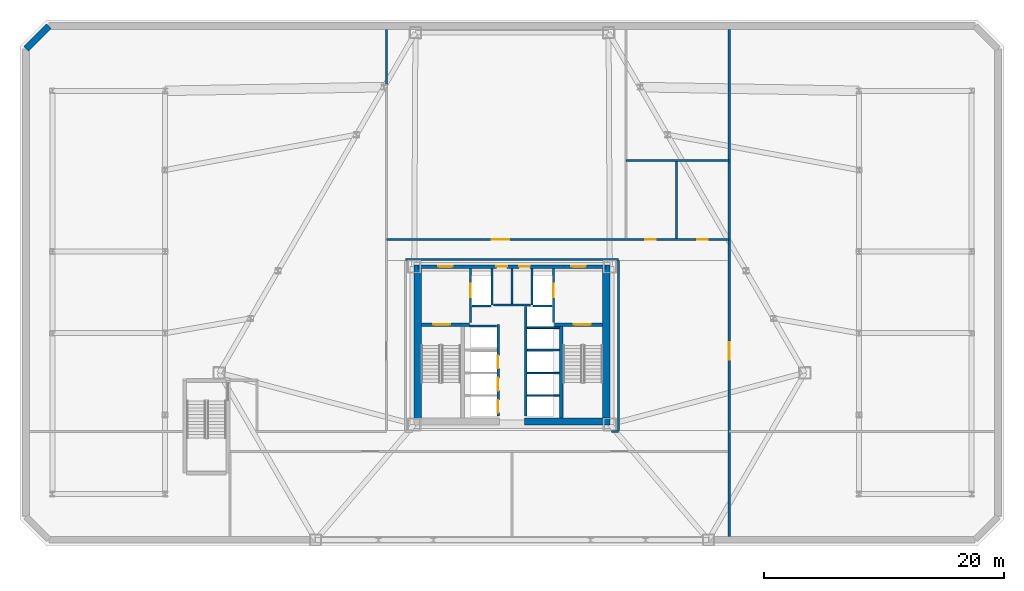
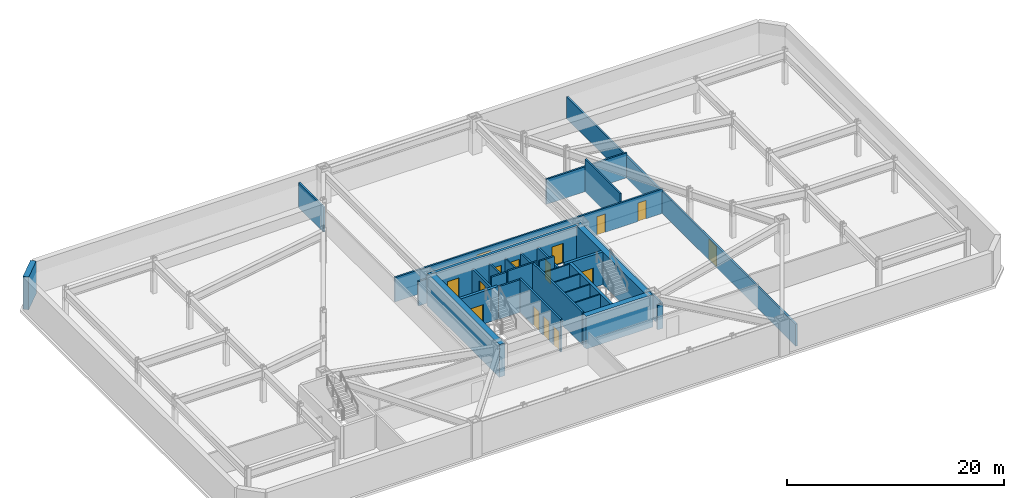
# One storey, part 5 of 10: 31 walls, 15 doors, 15 openings.
"""IFC4 building model written with IfcOpenShell, lengths in metres."""

import ifcopenshell
import ifcopenshell.guid

model = None  # the IFC model being written
_history = None  # IfcOwnerHistory: only IFC2X3 demands one
_inside = {}  # id of a spatial element -> (the spatial element, [elements in it])
_under = {}  # id of a project, library or spatial element -> (it, [spatial elements below it])
_declared = {}  # id of a project -> (the project, [libraries it declares])
_typed = {}  # id of a type object -> (the type object, [elements of that type])
_made_of = {}  # id of a material, layer set ... -> (it, [elements and type objects made of it])


def new_model(schema):
    """Start an empty IFC model of exactly this schema.

    Asked for "IFC4X3", IfcOpenShell would pick the latest addendum, in which some entities
    have other attributes; the version numbers below select the first issue.
    IFC2X3 requires an IfcOwnerHistory on every rooted entity: one is made here for all.
    """
    global model, _history
    if schema == "IFC4X3":
        model = ifcopenshell.file(schema_version=(4, 3, 0, 0))
    else:
        model = ifcopenshell.file(schema=schema)
    _inside.clear()
    _under.clear()
    _declared.clear()
    _typed.clear()
    _made_of.clear()
    _history = None
    if model.schema == "IFC2X3":
        org = make("IfcOrganization", Name="unknown")
        user = make(
            "IfcPersonAndOrganization",
            ThePerson=make("IfcPerson", FamilyName="unknown"),
            TheOrganization=org,
        )
        app = make(
            "IfcApplication",
            ApplicationDeveloper=org,
            Version="unknown",
            ApplicationFullName="unknown",
            ApplicationIdentifier="unknown",
        )
        _history = make(
            "IfcOwnerHistory",
            OwningUser=user,
            OwningApplication=app,
            ChangeAction="ADDED",
            CreationDate=0,
        )
    return model


def make(cls, **values):
    """One entity of the class cls with the attributes given. An attribute that is None is left unset."""
    return model.create_entity(
        cls, **{name: value for name, value in values.items() if value is not None}
    )


def rooted(cls, **values):
    """An entity with a GlobalId (a new one), such as an element, a storey or a relation."""
    return make(cls, GlobalId=ifcopenshell.guid.new(), OwnerHistory=_history, **values)


def si_unit(unit_type, name, prefix=None):
    """IfcSIUnit, for example si_unit("LENGTHUNIT", "METRE", prefix="MILLI")."""
    return make("IfcSIUnit", UnitType=unit_type, Prefix=prefix, Name=name)


def assignment(units):
    """IfcUnitAssignment: the units of a project."""
    return None if units is None else make("IfcUnitAssignment", Units=units)


def point(xyz):
    """IfcCartesianPoint."""
    return None if xyz is None else make("IfcCartesianPoint", Coordinates=xyz)


def direction(xyz):
    """IfcDirection."""
    return None if xyz is None else make("IfcDirection", DirectionRatios=xyz)


def frame(location, z_axis=None, x_axis=None):
    """IfcAxis2Placement3D, a coordinate frame: its origin and axes. An axis left out is left unset."""
    return make(
        "IfcAxis2Placement3D",
        Location=point(location),
        Axis=direction(z_axis),
        RefDirection=direction(x_axis),
    )


def frame_2d(location, x_axis=None):
    """IfcAxis2Placement2D, a coordinate frame in the plane: its origin and x axis."""
    return make(
        "IfcAxis2Placement2D", Location=point(location), RefDirection=direction(x_axis)
    )


def origin():
    """The frame at (0, 0, 0) with its axes left unset."""
    return frame((0.0, 0.0, 0.0))


def place(relative_to, where):
    """IfcLocalPlacement: puts the frame where relative to a parent placement (None: the world)."""
    return make(
        "IfcLocalPlacement", PlacementRelTo=relative_to, RelativePlacement=where
    )


def context(
    kind, dimensions, precision=None, world=None, true_north=None, identifier=None
):
    """IfcGeometricRepresentationContext, for example the 3D "Model" context."""
    return make(
        "IfcGeometricRepresentationContext",
        ContextIdentifier=identifier,
        ContextType=kind,
        CoordinateSpaceDimension=dimensions,
        Precision=precision,
        WorldCoordinateSystem=world,
        TrueNorth=true_north,
    )


def subcontext(parent, identifier, kind, view, scale=None):
    """IfcGeometricRepresentationSubContext, for example "Body" below "Model"."""
    return make(
        "IfcGeometricRepresentationSubContext",
        ContextIdentifier=identifier,
        ContextType=kind,
        ParentContext=parent,
        TargetScale=scale,
        TargetView=view,
    )


def project(units=None, contexts=None):
    """IfcProject with its units and contexts."""
    return rooted(
        "IfcProject",
        Name="project",
        RepresentationContexts=contexts,
        UnitsInContext=assignment(units),
    )


def spatial(cls, under=None, at=None, **own):
    """A site, building, storey or space (cls), placed at a placement, below another one or the project."""
    s = rooted(cls, ObjectPlacement=at, **own)
    if under is not None:
        _under.setdefault(under.id(), (under, []))[1].append(s)
    return s


def profile(cls, at=None, kind="AREA", **sizes):
    """A parametric profile (cls). Its sizes go by their IFC names, for example OverallWidth=200.0."""
    return make(cls, ProfileType=kind, Position=at, **sizes)


def rectangle(**sizes):
    """IfcRectangleProfileDef."""
    return profile("IfcRectangleProfileDef", **sizes)


def extrude(swept, where, along, depth):
    """IfcExtrudedAreaSolid: the profile swept, set in the frame where, extruded along a direction by depth."""
    return make(
        "IfcExtrudedAreaSolid",
        SweptArea=swept,
        Position=where,
        ExtrudedDirection=direction(along),
        Depth=depth,
    )


def shape(context_of_items, identifier, shape_type, items):
    """IfcShapeRepresentation: the items that make up one representation, for example the "Body"."""
    return make(
        "IfcShapeRepresentation",
        ContextOfItems=context_of_items,
        RepresentationIdentifier=identifier,
        RepresentationType=shape_type,
        Items=items,
    )


def material(Name=None, Category=None):
    """IfcMaterial."""
    return make("IfcMaterial", Name=Name, Category=Category)


def layer(
    of_material, thickness, ventilated=None, Name=None, Category=None, Priority=None
):
    """IfcMaterialLayer: one layer of a wall or slab, of a material (None: an air gap)."""
    return make(
        "IfcMaterialLayer",
        Material=of_material,
        LayerThickness=thickness,
        IsVentilated=ventilated,
        Name=Name,
        Category=Category,
        Priority=Priority,
    )


def layer_set(layers, Name=None):
    """IfcMaterialLayerSet."""
    return make("IfcMaterialLayerSet", MaterialLayers=layers, LayerSetName=Name)


def made_of(thing, what):
    """Note that an element or type object is made of a material, layer set ...; save() writes the relation."""
    if what is not None:
        _made_of.setdefault(what.id(), (what, []))[1].append(thing)
    return thing


def type_object(cls, material=None, **own):
    """A type object (cls), such as IfcWallType, which elements share."""
    return made_of(rooted(cls, **own), material)


def element(
    cls,
    number,
    at=None,
    inside=None,
    cuts=None,
    type_object=None,
    material=None,
    context=None,
    identifier="Body",
    shape_type=None,
    held_by="IfcProductDefinitionShape",
    body=None,
    shapes=None,
    **own,
):
    """One element of the class cls, such as IfcWall. Its Tag is "e" and its number.

    at: its placement. inside: the storey or other place that contains it. cuts: it is an
    opening in that element (IfcRelVoidsElement). A single representation is given by context,
    identifier, shape_type and body (its items); several are given by shapes. held_by: the class
    of the entity that holds the representations. save() writes the other relations.
    """
    e = rooted(cls, Tag="e%d" % number, ObjectPlacement=at, **own)
    if body is not None:
        shapes = [shape(context, identifier, shape_type, body)]
    if shapes is not None:
        e.Representation = make(held_by, Representations=shapes)
    if inside is not None:
        _inside.setdefault(inside.id(), (inside, []))[1].append(e)
    if cuts is not None:
        rooted(
            "IfcRelVoidsElement", RelatingBuildingElement=cuts, RelatedOpeningElement=e
        )
    if type_object is not None:
        _typed.setdefault(type_object.id(), (type_object, []))[1].append(e)
    return made_of(e, material)


def fill(opening, filler):
    """IfcRelFillsElement: the door or window that sits in an opening."""
    return rooted(
        "IfcRelFillsElement",
        RelatingOpeningElement=opening,
        RelatedBuildingElement=filler,
    )


def aggregate(whole, parts):
    """IfcRelAggregates: a whole, such as a stair, and the parts it consists of."""
    return rooted("IfcRelAggregates", RelatingObject=whole, RelatedObjects=parts)


def save(model, path):
    """Write the relations noted so far, then the file.

    IfcRelAggregates (storeys below a building ...), IfcRelContainedInSpatialStructure (elements
    in a storey), IfcRelDefinesByType, IfcRelAssociatesMaterial and IfcRelDeclares: one each for
    every whole, place, type object, material and project.
    """
    for whole, parts in _under.values():
        aggregate(whole, parts)
    for where, things in _inside.values():
        rooted(
            "IfcRelContainedInSpatialStructure",
            RelatedElements=things,
            RelatingStructure=where,
        )
    for kind, things in _typed.values():
        rooted("IfcRelDefinesByType", RelatedObjects=things, RelatingType=kind)
    for what, things in _made_of.values():
        rooted("IfcRelAssociatesMaterial", RelatedObjects=things, RelatingMaterial=what)
    for by, libraries in _declared.values():
        rooted("IfcRelDeclares", RelatingContext=by, RelatedDefinitions=libraries)
    model.write(path)


model = new_model("IFC4")

# Units and contexts
model_context = context("Model", 3, precision=1e-05, world=origin(), true_north=direction((0.0, 1.0)))
body_context = subcontext(model_context, "Body", "Model", "MODEL_VIEW")
ifc_project = project(units=[si_unit("LENGTHUNIT", "METRE"), si_unit("AREAUNIT", "SQUARE_METRE"), si_unit("VOLUMEUNIT", "CUBIC_METRE"), si_unit("PLANEANGLEUNIT", "RADIAN"), si_unit("MASSUNIT", "GRAM", prefix="KILO")], contexts=[model_context])

# Site, building, storey
site_placement = place(None, origin())
site = spatial("IfcSite", under=ifc_project, at=site_placement, CompositionType="ELEMENT")
building_placement = place(site_placement, origin())
building = spatial("IfcBuilding", under=site, at=building_placement, Name="Oramaril Tower", CompositionType="ELEMENT")
storey_placement = place(building_placement, frame((0.0, 0.0, -4.0)))
storey = spatial("IfcBuildingStorey", under=building, at=storey_placement, Name="B01", CompositionType="ELEMENT", Elevation=-4.0)

# Walls
ifc_material_1 = material(Name="Acoustic Gypsum Board Partition")
ifc_layer_1 = layer(ifc_material_1, 0.139892578125)
ifc_layer_set_1 = layer_set([ifc_layer_1], Name="WT-PT14")
wall_type_1 = type_object("IfcWallType", Name="WT-PT14", PredefinedType="PARTITIONING", material=ifc_layer_set_1)
for number, where, z_axis, x_axis, name in (
    (1, (38.780029296875, 13.419921875, 0.0), (0.0, 0.0, 1.0), (1.0, 0.0, 0.0), "B01 East Lift Divider"),
    (2, (38.780029296875, 15.27001953125, 0.0), (0.0, 0.0, 1.0), (1.0, 0.0, 0.0), "B01 East Lift Divider"),
    (3, (38.780029296875, 17.199951171875, 0.0), (0.0, 0.0, 1.0), (1.0, 0.0, 0.0), "B01 East Lift Divider"),
    (4, (38.780029296875, 19.050048828125, 0.0), (0.0, 0.0, 1.0), (1.0, 0.0, 0.0), "B01 East Lift Divider"),
):
    element("IfcWall", number, at=place(storey_placement, frame(where, z_axis=z_axis, x_axis=x_axis)), inside=storey, type_object=wall_type_1, Name=name, PredefinedType="PARTITIONING", context=body_context, shape_type="SweptSolid", body=[
        extrude(rectangle(XDim=2.659912109375, YDim=0.139892578125, at=frame_2d((1.330078125, 0.0))), origin(), (0.0, 0.0, 1.0), 3.679931640625),
    ])
wall_1_placement = place(storey_placement, frame((37.5, 21.06005859375, 0.0), z_axis=(0.0, 0.0, 1.0), x_axis=(0.0, 1.0, 0.0)))
element("IfcWall", 5, at=wall_1_placement, inside=storey, type_object=wall_type_1, Name="B01 Core Service Divider", PredefinedType="PARTITIONING", context=body_context, shape_type="SweptSolid", body=[
    extrude(rectangle(XDim=2.919921875, YDim=0.139892578125, at=frame_2d((1.4599609375, 0.0))), origin(), (0.0, 0.0, 1.0), 2.719970703125),
])
ifc_material_2 = material(Name="Autoclaved Cellular Concrete Block", Category="concrete")
ifc_layer_2 = layer(ifc_material_2, 0.179931640625)
ifc_layer_set_2 = layer_set([ifc_layer_2], Name="WT-PT18")
wall_type_2 = type_object("IfcWallType", Name="WT-PT18", PredefinedType="PARTITIONING", material=ifc_layer_set_2)
wall_2_placement = place(storey_placement, frame((35.840087890625, 20.9599609375, 0.0), z_axis=(0.0, 0.0, 1.0), x_axis=(0.0, 1.0, 0.0)))
element("IfcWall", 6, at=wall_2_placement, inside=storey, type_object=wall_type_2, Name="B01 FL-1 East Shaft Wall", PredefinedType="PARTITIONING", context=body_context, shape_type="SweptSolid", body=[
    extrude(rectangle(XDim=3.02001953125, YDim=0.179931640625, at=frame_2d((1.510009765625, 0.0))), origin(), (0.0, 0.0, 1.0), 2.719970703125),
])
wall_3_placement = place(storey_placement, frame((34.159912109375, 20.860107421875, 0.0), z_axis=(0.0, 0.0, 1.0), x_axis=(1.0, 0.0, 0.0)))
element("IfcWall", 7, at=wall_3_placement, inside=storey, type_object=wall_type_2, Name="B01 FL-1 South Shaft Wall", PredefinedType="PARTITIONING", context=body_context, shape_type="SweptSolid", body=[
    extrude(rectangle(XDim=1.580078125, YDim=0.179931640625, at=frame_2d((0.7900390625, 0.0))), origin(), (0.0, 0.0, 1.0), 3.679931640625),
])
wall_4_placement = place(storey_placement, frame((39.159912109375, 20.9599609375, 0.0), z_axis=(0.0, 0.0, 1.0), x_axis=(0.0, 1.0, 0.0)))
element("IfcWall", 8, at=wall_4_placement, inside=storey, type_object=wall_type_2, Name="B01 FL-2 West Shaft Wall", PredefinedType="PARTITIONING", context=body_context, shape_type="SweptSolid", body=[
    extrude(rectangle(XDim=3.02001953125, YDim=0.179931640625, at=frame_2d((1.510009765625, 0.0))), origin(), (0.0, 0.0, 1.0), 2.719970703125),
])
wall_5_placement = place(storey_placement, frame((39.260009765625, 20.860107421875, 0.0), z_axis=(0.0, 0.0, 1.0), x_axis=(1.0, 0.0, 0.0)))
element("IfcWall", 9, at=wall_5_placement, inside=storey, type_object=wall_type_2, Name="B01 FL-2 South Shaft Wall", PredefinedType="PARTITIONING", context=body_context, shape_type="SweptSolid", body=[
    extrude(rectangle(XDim=1.580078125, YDim=0.179931640625, at=frame_2d((0.7900390625, 0.0))), origin(), (0.0, 0.0, 1.0), 3.679931640625),
])
wall_6_placement = place(storey_placement, frame((33.949951171875, 19.199951171875, 0.0), z_axis=(0.0, 0.0, 1.0), x_axis=(1.0, 0.0, 0.0)))
element("IfcWall", 10, at=wall_6_placement, inside=storey, type_object=wall_type_2, Name="B01 High-Rise Lift H1 North Shaft Wall", PredefinedType="PARTITIONING", context=body_context, shape_type="SweptSolid", body=[
    extrude(rectangle(XDim=2.27001953125, YDim=0.179931640625, at=frame_2d((1.135009765625, 0.0))), origin(), (0.0, 0.0, 1.0), 3.679931640625),
])
wall_7_placement = place(storey_placement, frame((35.949951171875, 20.949951171875, 0.0), z_axis=(0.0, 0.0, 1.0), x_axis=(1.0, 0.0, 0.0)))
element("IfcWall", 11, at=wall_7_placement, inside=storey, type_object=wall_type_2, Name="B01 Lift Lobby North Partition", PredefinedType="PARTITIONING", context=body_context, shape_type="SweptSolid", body=[
    extrude(rectangle(XDim=3.10009765625, YDim=0.179931640625, at=frame_2d((1.550048828125, 0.0))), origin(), (0.0, 0.0, 1.0), 3.679931640625),
])
wall_8_placement = place(storey_placement, frame((45.800048828125, 10.39990234375, 0.0), z_axis=(0.0, 0.0, 1.0), x_axis=(1.0, 0.0, 0.0)))
element("IfcWall", 12, at=wall_8_placement, inside=storey, type_object=wall_type_2, Name="B01 Interior Partition PT-18", PredefinedType="PARTITIONING", context=body_context, shape_type="SweptSolid", body=[
    extrude(rectangle(XDim=0.579833984375, YDim=0.179931640625, at=frame_2d((0.2900390625, 0.0))), origin(), (0.0, 0.0, 1.0), 2.742919921875),
])
wall_9_placement = place(storey_placement, frame((28.6201171875, 24.75, 0.0), z_axis=(0.0, 0.0, 1.0), x_axis=(1.0, 0.0, 0.0)))
element("IfcWall", 13, at=wall_9_placement, inside=storey, type_object=wall_type_2, Name="B01 Interior Partition PT-18", PredefinedType="PARTITIONING", context=body_context, shape_type="SweptSolid", body=[
    extrude(rectangle(XDim=17.759765625, YDim=0.179931640625, at=frame_2d((8.8798828125, 0.0))), origin(), (0.0, 0.0, 1.0), 2.742919921875),
])

# Wall, openings, doors
wall_10_placement = place(storey_placement, frame((27.050048828125, 26.39990234375, 0.0), z_axis=(0.0, 0.0, 1.0), x_axis=(1.0, 0.0, 0.0)))
wall_10 = element("IfcWall", 14, at=wall_10_placement, inside=storey, type_object=wall_type_2, Name="B01 Interior Partition PT-18", PredefinedType="PARTITIONING", context=body_context, shape_type="SweptSolid", body=[
    extrude(rectangle(XDim=28.550048828125, YDim=0.179931640625, at=frame_2d((14.27490234375, 0.0))), origin(), (0.0, 0.0, 1.0), 2.742919921875),
])
opening_1_placement = place(wall_10_placement, frame((8.751708984375, 0.0, 0.0)))
opening_1 = element("IfcOpeningElement", 15, at=opening_1_placement, cuts=wall_10, Name="Opening D-B01-03", PredefinedType="OPENING", context=body_context, shape_type="SweptSolid", body=[
    extrude(rectangle(XDim=1.449951171875, YDim=2.25, at=frame_2d((0.72509765625, 1.125))), frame((0.0, 0.08984375, 0.0), z_axis=(0.0, -1.0, 0.0), x_axis=(1.0, 0.0, 0.0)), (0.0, 0.0, 1.0), 0.179931640625),
])
opening_2_placement = place(wall_10_placement, frame((21.5380859375, 0.0, 0.0)))
opening_2 = element("IfcOpeningElement", 16, at=opening_2_placement, cuts=wall_10, Name="Opening D-B01-04", PredefinedType="OPENING", context=body_context, shape_type="SweptSolid", body=[
    extrude(rectangle(XDim=0.8798828125, YDim=2.080078125, at=frame_2d((0.43994140625, 1.0400390625))), frame((0.0, 0.08984375, 0.0), z_axis=(0.0, -1.0, 0.0), x_axis=(1.0, 0.0, 0.0)), (0.0, 0.0, 1.0), 0.179931640625),
])
opening_3_placement = place(wall_10_placement, frame((25.884033203125, 0.0, 0.0)))
opening_3 = element("IfcOpeningElement", 17, at=opening_3_placement, cuts=wall_10, Name="Opening D-B01-05", PredefinedType="OPENING", context=body_context, shape_type="SweptSolid", body=[
    extrude(rectangle(XDim=0.8798828125, YDim=2.080078125, at=frame_2d((0.43994140625, 1.0400390625))), frame((0.0, 0.08984375, 0.0), z_axis=(0.0, -1.0, 0.0), x_axis=(1.0, 0.0, 0.0)), (0.0, 0.0, 1.0), 0.179931640625),
])
ifc_material_3 = material(Name="FSC Brazilian Freijo Hardwood", Category="wood")
door_type_1 = type_object("IfcDoorType", Name="DT-BATH", OperationType="NOTDEFINED", PredefinedType="DOOR", material=ifc_material_3)
door_1_placement = place(opening_2_placement, origin())
door_1 = element("IfcDoor", 18, at=door_1_placement, inside=storey, type_object=door_type_1, Name="B01 B01 Staff Accessible WC Door D-B01-04", OperationType="SINGLE_SWING_RIGHT", OverallHeight=2.080078125, OverallWidth=0.8798828125, PredefinedType="DOOR", context=body_context, shape_type="SweptSolid", body=[
    extrude(rectangle(XDim=0.8798828125, YDim=2.080078125, at=frame_2d((0.43994140625, 1.0400390625))), frame((0.0, 0.02490234375, 0.0), z_axis=(0.0, -1.0, 0.0), x_axis=(1.0, 0.0, 0.0)), (0.0, 0.0, 1.0), 0.050048828125),
])
fill(opening_2, door_1)
door_2_placement = place(opening_3_placement, origin())
door_2 = element("IfcDoor", 19, at=door_2_placement, inside=storey, type_object=door_type_1, Name="B01 B01 Staff Washroom WC Door D-B01-05", OperationType="SINGLE_SWING_LEFT", OverallHeight=2.080078125, OverallWidth=0.8798828125, PredefinedType="DOOR", context=body_context, shape_type="SweptSolid", body=[
    extrude(rectangle(XDim=0.8798828125, YDim=2.080078125, at=frame_2d((0.43994140625, 1.0400390625))), frame((0.0, 0.02490234375, 0.0), z_axis=(0.0, -1.0, 0.0), x_axis=(1.0, 0.0, 0.0)), (0.0, 0.0, 1.0), 0.050048828125),
])
fill(opening_3, door_2)
ifc_material_4 = material(Name="Painted Galvanised Steel", Category="steel")
door_type_2 = type_object("IfcDoorType", Name="DT-PLT", OperationType="NOTDEFINED", PredefinedType="DOOR", material=ifc_material_4)
door_3_placement = place(opening_1_placement, origin())
door_3 = element("IfcDoor", 20, at=door_3_placement, inside=storey, type_object=door_type_2, Name="B01 B01 Waste and Recycling Refuse Room Door D-B01-03", OperationType="SINGLE_SWING_LEFT", OverallHeight=2.25, OverallWidth=1.449951171875, PredefinedType="DOOR", context=body_context, shape_type="SweptSolid", body=[
    extrude(rectangle(XDim=1.449951171875, YDim=2.25, at=frame_2d((0.72509765625, 1.125))), frame((0.0, 0.02490234375, 0.0), z_axis=(0.0, -1.0, 0.0), x_axis=(1.0, 0.0, 0.0)), (0.0, 0.0, 1.0), 0.050048828125),
])
fill(opening_1, door_3)

# Walls
wall_11_placement = place(storey_placement, frame((47.0, 33.0, 0.0), z_axis=(0.0, 0.0, 1.0), x_axis=(1.0, 0.0, 0.0)))
element("IfcWall", 21, at=wall_11_placement, inside=storey, type_object=wall_type_2, Name="B01 Interior Partition PT-18", PredefinedType="PARTITIONING", context=body_context, shape_type="SweptSolid", body=[
    extrude(rectangle(XDim=8.60009765625, YDim=0.179931640625, at=frame_2d((4.300048828125, 0.0))), origin(), (0.0, 0.0, 1.0), 2.81396484375),
])
wall_12_placement = place(storey_placement, frame((27.050048828125, 39.33154296875, 0.0), z_axis=(0.0, 0.0, 1.0), x_axis=(0.0, 1.0, 0.0)))
element("IfcWall", 22, at=wall_12_placement, inside=storey, type_object=wall_type_2, Name="B01 Interior Partition PT-18", PredefinedType="PARTITIONING", context=body_context, shape_type="SweptSolid", body=[
    extrude(rectangle(XDim=4.58935546875, YDim=0.179931640625, at=frame_2d((2.294677734375, 0.0))), origin(), (0.0, 0.0, 1.0), 2.81396484375),
])
wall_13_placement = place(storey_placement, frame((46.3798828125, 10.493896484375, 0.0), z_axis=(0.0, 0.0, 1.0), x_axis=(0.0, 1.0, 0.0)))
element("IfcWall", 23, at=wall_13_placement, inside=storey, type_object=wall_type_2, Name="B01 Interior Partition PT-18", PredefinedType="PARTITIONING", context=body_context, shape_type="SweptSolid", body=[
    extrude(rectangle(XDim=14.162109375, YDim=0.179931640625, at=frame_2d((7.0810546875, 0.0))), origin(), (0.0, 0.0, 1.0), 2.742919921875),
])
wall_14_placement = place(storey_placement, frame((51.199951171875, 26.493896484375, 0.0), z_axis=(0.0, 0.0, 1.0), x_axis=(0.0, 1.0, 0.0)))
element("IfcWall", 24, at=wall_14_placement, inside=storey, type_object=wall_type_2, Name="B01 Interior Partition PT-18", PredefinedType="PARTITIONING", context=body_context, shape_type="SweptSolid", body=[
    extrude(rectangle(XDim=6.412109375, YDim=0.179931640625, at=frame_2d((3.2060546875, 0.0))), origin(), (0.0, 0.0, 1.0), 3.679931640625),
])

# Wall, opening, door
wall_15_placement = place(storey_placement, frame((55.60009765625, 1.678955078125, 0.0), z_axis=(0.0, 0.0, 1.0), x_axis=(0.0, 1.0, 0.0)))
wall_15 = element("IfcWall", 25, at=wall_15_placement, inside=storey, type_object=wall_type_2, Name="B01 Interior Partition PT-18", PredefinedType="PARTITIONING", context=body_context, shape_type="SweptSolid", body=[
    extrude(rectangle(XDim=42.241943359375, YDim=0.179931640625, at=frame_2d((21.12109375, 0.0))), origin(), (0.0, 0.0, 1.0), 2.469970703125),
])
opening_4_placement = place(wall_15_placement, frame((14.725341796875, 0.0, 0.0)))
opening_4 = element("IfcOpeningElement", 26, at=opening_4_placement, cuts=wall_15, Name="Opening D-B01-07", PredefinedType="OPENING", context=body_context, shape_type="SweptSolid", body=[
    extrude(rectangle(XDim=1.449951171875, YDim=2.25, at=frame_2d((0.72509765625, 1.125))), frame((0.0, 0.08984375, 0.0), z_axis=(0.0, -1.0, 0.0), x_axis=(1.0, 0.0, 0.0)), (0.0, 0.0, 1.0), 0.179931640625),
])
door_4_placement = place(opening_4_placement, origin())
door_4 = element("IfcDoor", 27, at=door_4_placement, inside=storey, type_object=door_type_2, Name="B01 B01 Building Maintenance Workshop Door D-B01-07", OperationType="SINGLE_SWING_LEFT", OverallHeight=2.25, OverallWidth=1.449951171875, PredefinedType="DOOR", context=body_context, shape_type="SweptSolid", body=[
    extrude(rectangle(XDim=1.449951171875, YDim=2.25, at=frame_2d((0.72509765625, 1.125))), frame((0.0, 0.02490234375, 0.0), z_axis=(0.0, -1.0, 0.0), x_axis=(1.0, 0.0, 0.0)), (0.0, 0.0, 1.0), 0.050048828125),
])
fill(opening_4, door_4)

# Wall
ifc_material_5 = material(Name="Concrete C50/60", Category="concrete")
ifc_layer_3 = layer(ifc_material_5, 0.550048828125)
ifc_layer_set_3 = layer_set([ifc_layer_3], Name="WT-RET55")
wall_type_3 = type_object("IfcWallType", Name="WT-RET55", PredefinedType="USERDEFINED", material=ifc_layer_set_3)
wall_16_placement = place(storey_placement, frame((-1.093017578125, 44.199951171875, 0.0), z_axis=(0.0, 0.0, 1.0), x_axis=(-0.707106781187, -0.707106781187, 0.0)))
element("IfcWall", 28, at=wall_16_placement, inside=storey, type_object=wall_type_3, Name="B01 Perimeter Retaining Wall RW-06", ObjectType="RETAININGWALL", PredefinedType="USERDEFINED", context=body_context, shape_type="SweptSolid", body=[
    extrude(rectangle(XDim=2.69677734375, YDim=0.550048828125, at=frame_2d((1.348388671875, 0.0))), origin(), (0.0, 0.0, 1.0), 3.679931640625),
])

# Wall, openings, doors
ifc_material_6 = material(Name="Concrete C50/60", Category="concrete")
ifc_layer_4 = layer(ifc_material_6, 0.300048828125)
ifc_layer_set_4 = layer_set([ifc_layer_4], Name="WT-SH30")
wall_type_4 = type_object("IfcWallType", Name="WT-SH30", PredefinedType="SHEAR", material=ifc_layer_set_4)
wall_17_placement = place(storey_placement, frame((29.64990234375, 24.14990234375, 0.0), z_axis=(0.0, 0.0, 1.0), x_axis=(1.0, 0.0, 0.0)))
wall_17 = element("IfcWall", 29, at=wall_17_placement, inside=storey, type_object=wall_type_4, Name="B01 Core Shear Wall CW-N", PredefinedType="SHEAR", context=body_context, shape_type="SweptSolid", body=[
    extrude(rectangle(XDim=15.7001953125, YDim=0.300048828125, at=frame_2d((7.85009765625, 0.0))), origin(), (0.0, 0.0, 1.0), 3.679931640625),
])
opening_5_placement = place(wall_17_placement, frame((1.699951171875, 0.0, 0.0)))
opening_5 = element("IfcOpeningElement", 30, at=opening_5_placement, cuts=wall_17, Name="Opening D-B01-FFL1", PredefinedType="OPENING", context=body_context, shape_type="SweptSolid", body=[
    extrude(rectangle(XDim=1.199951171875, YDim=2.199951171875, at=frame_2d((0.60009765625, 1.10009765625))), frame((0.0, 0.14990234375, 0.0), z_axis=(0.0, -1.0, 0.0), x_axis=(1.0, 0.0, 0.0)), (0.0, 0.0, 1.0), 0.300048828125),
])
opening_6_placement = place(wall_17_placement, frame((12.800048828125, 0.0, 0.0)))
opening_6 = element("IfcOpeningElement", 31, at=opening_6_placement, cuts=wall_17, Name="Opening D-B01-FFL2", PredefinedType="OPENING", context=body_context, shape_type="SweptSolid", body=[
    extrude(rectangle(XDim=1.199951171875, YDim=2.199951171875, at=frame_2d((0.60009765625, 1.10009765625))), frame((0.0, 0.14990234375, 0.0), z_axis=(0.0, -1.0, 0.0), x_axis=(1.0, 0.0, 0.0)), (0.0, 0.0, 1.0), 0.300048828125),
])
opening_7_placement = place(wall_17_placement, frame((6.550048828125, 0.0, 0.0)))
opening_7 = element("IfcOpeningElement", 32, at=opening_7_placement, cuts=wall_17, Name="Opening D-B01-SV1", PredefinedType="OPENING", context=body_context, shape_type="SweptSolid", body=[
    extrude(rectangle(XDim=0.89990234375, YDim=2.050048828125, at=frame_2d((0.449951171875, 1.02490234375))), frame((0.0, 0.14990234375, 0.0), z_axis=(0.0, -1.0, 0.0), x_axis=(1.0, 0.0, 0.0)), (0.0, 0.0, 1.0), 0.300048828125),
])
opening_8_placement = place(wall_17_placement, frame((8.449951171875, 0.0, 0.0)))
opening_8 = element("IfcOpeningElement", 33, at=opening_8_placement, cuts=wall_17, Name="Opening D-B01-SV2", PredefinedType="OPENING", context=body_context, shape_type="SweptSolid", body=[
    extrude(rectangle(XDim=0.89990234375, YDim=2.050048828125, at=frame_2d((0.449951171875, 1.02490234375))), frame((0.0, 0.14990234375, 0.0), z_axis=(0.0, -1.0, 0.0), x_axis=(1.0, 0.0, 0.0)), (0.0, 0.0, 1.0), 0.300048828125),
])
ifc_material_7 = material(Name="Painted Galvanised Steel", Category="steel")
door_type_3 = type_object("IfcDoorType", Name="DT-FFL", OperationType="NOTDEFINED", PredefinedType="DOOR", material=ifc_material_7)
door_5_placement = place(opening_5_placement, origin())
door_5 = element("IfcDoor", 34, at=door_5_placement, inside=storey, type_object=door_type_3, Name="B01 Firefighting Lobby 1 Fire Door", OperationType="SINGLE_SWING_LEFT", OverallHeight=2.199951171875, OverallWidth=1.199951171875, PredefinedType="DOOR", context=body_context, shape_type="SweptSolid", body=[
    extrude(rectangle(XDim=1.199951171875, YDim=2.199951171875, at=frame_2d((0.60009765625, 1.10009765625))), frame((0.0, 0.02490234375, 0.0), z_axis=(0.0, -1.0, 0.0), x_axis=(1.0, 0.0, 0.0)), (0.0, 0.0, 1.0), 0.050048828125),
])
fill(opening_5, door_5)
door_6_placement = place(opening_6_placement, origin())
door_6 = element("IfcDoor", 35, at=door_6_placement, inside=storey, type_object=door_type_3, Name="B01 Firefighting Lobby 2 Fire Door", OperationType="SINGLE_SWING_RIGHT", OverallHeight=2.199951171875, OverallWidth=1.199951171875, PredefinedType="DOOR", context=body_context, shape_type="SweptSolid", body=[
    extrude(rectangle(XDim=1.199951171875, YDim=2.199951171875, at=frame_2d((0.60009765625, 1.10009765625))), frame((0.0, 0.02490234375, 0.0), z_axis=(0.0, -1.0, 0.0), x_axis=(1.0, 0.0, 0.0)), (0.0, 0.0, 1.0), 0.050048828125),
])
fill(opening_6, door_6)
ifc_material_8 = material(Name="Painted Galvanised Steel", Category="steel")
door_type_4 = type_object("IfcDoorType", Name="DT-SVC", OperationType="NOTDEFINED", PredefinedType="DOOR", material=ifc_material_8)
door_7_placement = place(opening_7_placement, origin())
door_7 = element("IfcDoor", 36, at=door_7_placement, inside=storey, type_object=door_type_4, Name="B01 Core Service Store 1 Door", OperationType="SINGLE_SWING_LEFT", OverallHeight=2.050048828125, OverallWidth=0.89990234375, PredefinedType="DOOR", context=body_context, shape_type="SweptSolid", body=[
    extrude(rectangle(XDim=0.89990234375, YDim=2.050048828125, at=frame_2d((0.449951171875, 1.02490234375))), frame((0.0, 0.02490234375, 0.0), z_axis=(0.0, -1.0, 0.0), x_axis=(1.0, 0.0, 0.0)), (0.0, 0.0, 1.0), 0.050048828125),
])
fill(opening_7, door_7)
door_8_placement = place(opening_8_placement, origin())
door_8 = element("IfcDoor", 37, at=door_8_placement, inside=storey, type_object=door_type_4, Name="B01 Core Service Store 2 Door", OperationType="SINGLE_SWING_RIGHT", OverallHeight=2.050048828125, OverallWidth=0.89990234375, PredefinedType="DOOR", context=body_context, shape_type="SweptSolid", body=[
    extrude(rectangle(XDim=0.89990234375, YDim=2.050048828125, at=frame_2d((0.449951171875, 1.02490234375))), frame((0.0, 0.02490234375, 0.0), z_axis=(0.0, -1.0, 0.0), x_axis=(1.0, 0.0, 0.0)), (0.0, 0.0, 1.0), 0.050048828125),
])
fill(opening_8, door_8)

# Wall, opening, door
wall_18_placement = place(storey_placement, frame((29.93994140625, 19.31005859375, 0.0), z_axis=(0.0, 0.0, 1.0), x_axis=(1.0, 0.0, 0.0)))
wall_18 = element("IfcWall", 38, at=wall_18_placement, inside=storey, type_object=wall_type_4, Name="B01 Core Shear Wall CW-ST1N", PredefinedType="SHEAR", context=body_context, shape_type="SweptSolid", body=[
    extrude(rectangle(XDim=4.010009765625, YDim=0.300048828125, at=frame_2d((2.0048828125, 0.0))), origin(), (0.0, 0.0, 1.0), 3.679931640625),
])
opening_9_placement = place(wall_18_placement, frame((1.010009765625, 0.0, 0.0)))
opening_9 = element("IfcOpeningElement", 39, at=opening_9_placement, cuts=wall_18, Name="Opening D-B01-ST1", PredefinedType="OPENING", context=body_context, shape_type="SweptSolid", body=[
    extrude(rectangle(XDim=1.39990234375, YDim=2.199951171875, at=frame_2d((0.699951171875, 1.10009765625))), frame((0.0, 0.14990234375, 0.0), z_axis=(0.0, -1.0, 0.0), x_axis=(1.0, 0.0, 0.0)), (0.0, 0.0, 1.0), 0.300048828125),
])
ifc_material_9 = material(Name="Painted Galvanised Steel", Category="steel")
door_type_5 = type_object("IfcDoorType", Name="DT-ST", OperationType="NOTDEFINED", PredefinedType="DOOR", material=ifc_material_9)
door_9_placement = place(opening_9_placement, origin())
door_9 = element("IfcDoor", 40, at=door_9_placement, inside=storey, type_object=door_type_5, Name="B01 Protected Stair ST-1 Fire Door", OperationType="SINGLE_SWING_LEFT", OverallHeight=2.199951171875, OverallWidth=1.39990234375, PredefinedType="DOOR", context=body_context, shape_type="SweptSolid", body=[
    extrude(rectangle(XDim=1.39990234375, YDim=2.199951171875, at=frame_2d((0.699951171875, 1.10009765625))), frame((0.0, 0.02490234375, 0.0), z_axis=(0.0, -1.0, 0.0), x_axis=(1.0, 0.0, 0.0)), (0.0, 0.0, 1.0), 0.050048828125),
])
fill(opening_9, door_9)

wall_19_placement = place(storey_placement, frame((41.050048828125, 19.31005859375, 0.0), z_axis=(0.0, 0.0, 1.0), x_axis=(1.0, 0.0, 0.0)))
wall_19 = element("IfcWall", 41, at=wall_19_placement, inside=storey, type_object=wall_type_4, Name="B01 Core Shear Wall CW-ST2N", PredefinedType="SHEAR", context=body_context, shape_type="SweptSolid", body=[
    extrude(rectangle(XDim=4.010009765625, YDim=0.300048828125, at=frame_2d((2.0048828125, 0.0))), origin(), (0.0, 0.0, 1.0), 3.679931640625),
])
opening_10_placement = place(wall_19_placement, frame((1.60009765625, 0.0, 0.0)))
opening_10 = element("IfcOpeningElement", 42, at=opening_10_placement, cuts=wall_19, Name="Opening D-B01-ST2", PredefinedType="OPENING", context=body_context, shape_type="SweptSolid", body=[
    extrude(rectangle(XDim=1.39990234375, YDim=2.199951171875, at=frame_2d((0.699951171875, 1.10009765625))), frame((0.0, 0.14990234375, 0.0), z_axis=(0.0, -1.0, 0.0), x_axis=(1.0, 0.0, 0.0)), (0.0, 0.0, 1.0), 0.300048828125),
])
door_10_placement = place(opening_10_placement, origin())
door_10 = element("IfcDoor", 43, at=door_10_placement, inside=storey, type_object=door_type_5, Name="B01 Protected Stair ST-2 Fire Door", OperationType="SINGLE_SWING_RIGHT", OverallHeight=2.199951171875, OverallWidth=1.39990234375, PredefinedType="DOOR", context=body_context, shape_type="SweptSolid", body=[
    extrude(rectangle(XDim=1.39990234375, YDim=2.199951171875, at=frame_2d((0.699951171875, 1.10009765625))), frame((0.0, 0.02490234375, 0.0), z_axis=(0.0, -1.0, 0.0), x_axis=(1.0, 0.0, 0.0)), (0.0, 0.0, 1.0), 0.050048828125),
])
fill(opening_10, door_10)

# Walls
wall_20_placement = place(storey_placement, frame((41.6201171875, 11.5400390625, 0.0), z_axis=(0.0, 0.0, 1.0), x_axis=(0.0, 1.0, 0.0)))
element("IfcWall", 44, at=wall_20_placement, inside=storey, type_object=wall_type_4, Name="B01 Core Shear Wall CW-ST2W", PredefinedType="SHEAR", context=body_context, shape_type="SweptSolid", body=[
    extrude(rectangle(XDim=7.619873046875, YDim=0.300048828125, at=frame_2d((3.81005859375, 0.0))), origin(), (0.0, 0.0, 1.0), 3.679931640625),
])
ifc_material_10 = material(Name="Concrete C50/60", Category="concrete")
ifc_layer_5 = layer(ifc_material_10, 0.60009765625)
ifc_layer_set_5 = layer_set([ifc_layer_5], Name="WT-SH60")
wall_type_5 = type_object("IfcWallType", Name="WT-SH60", PredefinedType="SHEAR", material=ifc_layer_set_5)
for number, where, z_axis, x_axis, name in (
    (45, (29.639892578125, 11.0, 0.0), (0.0, 0.0, 1.0), (0.0, 1.0, 0.0), "B01 Core Shear Wall CW-W"),
    (46, (45.360107421875, 11.0, 0.0), (0.0, 0.0, 1.0), (0.0, 1.0, 0.0), "B01 Core Shear Wall CW-E"),
):
    element("IfcWall", number, at=place(storey_placement, frame(where, z_axis=z_axis, x_axis=x_axis)), inside=storey, type_object=wall_type_5, Name=name, PredefinedType="SHEAR", context=body_context, shape_type="SweptSolid", body=[
        extrude(rectangle(XDim=13.300048828125, YDim=0.60009765625, at=frame_2d((6.64990234375, 0.0))), origin(), (0.0, 0.0, 1.0), 3.679931640625),
    ])
wall_21_placement = place(storey_placement, frame((38.550048828125, 11.239990234375, 0.0), z_axis=(0.0, 0.0, 1.0), x_axis=(1.0, 0.0, 0.0)))
element("IfcWall", 47, at=wall_21_placement, inside=storey, type_object=wall_type_5, Name="B01 Core Shear Wall CW-SE", PredefinedType="SHEAR", context=body_context, shape_type="SweptSolid", body=[
    extrude(rectangle(XDim=7.099853515625, YDim=0.60009765625, at=frame_2d((3.5498046875, 0.0))), origin(), (0.0, 0.0, 1.0), 3.679931640625),
])

# Wall, opening, door
ifc_material_11 = material(Name="Autoclaved Cellular Concrete Block", Category="concrete")
ifc_layer_6 = layer(ifc_material_11, 0.199951171875)
ifc_layer_set_6 = layer_set([ifc_layer_6], Name="WT-SHF20")
wall_type_6 = type_object("IfcWallType", Name="WT-SHF20", PredefinedType="PARTITIONING", material=ifc_layer_set_6)
wall_22_placement = place(storey_placement, frame((34.0400390625, 19.47998046875, 0.0), z_axis=(0.0, 0.0, 1.0), x_axis=(0.0, 1.0, 0.0)))
wall_22 = element("IfcWall", 48, at=wall_22_placement, inside=storey, type_object=wall_type_6, Name="B01 FL-1 Lobby Shaft Wall", PredefinedType="PARTITIONING", context=body_context, shape_type="SweptSolid", body=[
    extrude(rectangle(XDim=4.5, YDim=0.199951171875, at=frame_2d((2.25, 0.0))), origin(), (0.0, 0.0, 1.0), 2.719970703125),
])
opening_11_placement = place(wall_22_placement, frame((2.1201171875, 0.0, 0.0)))
opening_11 = element("IfcOpeningElement", 49, at=opening_11_placement, cuts=wall_22, Name="Opening LD-B01-FL-1", PredefinedType="OPENING", context=body_context, shape_type="SweptSolid", body=[
    extrude(rectangle(XDim=1.10009765625, YDim=2.199951171875, at=frame_2d((0.550048828125, 1.10009765625))), frame((0.0, 0.10009765625, 0.0), z_axis=(0.0, -1.0, 0.0), x_axis=(1.0, 0.0, 0.0)), (0.0, 0.0, 1.0), 0.199951171875),
])
ifc_material_12 = material(Name="Stainless Steel 316L", Category="steel")
door_type_6 = type_object("IfcDoorType", Name="DT-LD1", OperationType="NOTDEFINED", PredefinedType="DOOR", material=ifc_material_12)
door_11_placement = place(opening_11_placement, origin())
door_11 = element("IfcDoor", 50, at=door_11_placement, inside=storey, type_object=door_type_6, Name="B01 Lift FL-1 Sliding Landing Door", OperationType="SLIDING_TO_LEFT", OverallHeight=2.199951171875, OverallWidth=1.10009765625, PredefinedType="DOOR", context=body_context, shape_type="SweptSolid", body=[
    extrude(rectangle(XDim=1.10009765625, YDim=2.199951171875, at=frame_2d((0.550048828125, 1.10009765625))), frame((0.0, 0.02490234375, 0.0), z_axis=(0.0, -1.0, 0.0), x_axis=(1.0, 0.0, 0.0)), (0.0, 0.0, 1.0), 0.050048828125),
])
fill(opening_11, door_11)

wall_23_placement = place(storey_placement, frame((40.9599609375, 19.47998046875, 0.0), z_axis=(0.0, 0.0, 1.0), x_axis=(0.0, 1.0, 0.0)))
wall_23 = element("IfcWall", 51, at=wall_23_placement, inside=storey, type_object=wall_type_6, Name="B01 FL-2 Lobby Shaft Wall", PredefinedType="PARTITIONING", context=body_context, shape_type="SweptSolid", body=[
    extrude(rectangle(XDim=4.5, YDim=0.199951171875, at=frame_2d((2.25, 0.0))), origin(), (0.0, 0.0, 1.0), 2.719970703125),
])
opening_12_placement = place(wall_23_placement, frame((2.1201171875, 0.0, 0.0)))
opening_12 = element("IfcOpeningElement", 52, at=opening_12_placement, cuts=wall_23, Name="Opening LD-B01-FL-2", PredefinedType="OPENING", context=body_context, shape_type="SweptSolid", body=[
    extrude(rectangle(XDim=1.10009765625, YDim=2.199951171875, at=frame_2d((0.550048828125, 1.10009765625))), frame((0.0, 0.10009765625, 0.0), z_axis=(0.0, -1.0, 0.0), x_axis=(1.0, 0.0, 0.0)), (0.0, 0.0, 1.0), 0.199951171875),
])
door_12_placement = place(opening_12_placement, origin())
door_12 = element("IfcDoor", 53, at=door_12_placement, inside=storey, type_object=door_type_6, Name="B01 Lift FL-2 Sliding Landing Door", OperationType="SLIDING_TO_RIGHT", OverallHeight=2.199951171875, OverallWidth=1.10009765625, PredefinedType="DOOR", context=body_context, shape_type="SweptSolid", body=[
    extrude(rectangle(XDim=1.10009765625, YDim=2.199951171875, at=frame_2d((0.550048828125, 1.10009765625))), frame((0.0, 0.02490234375, 0.0), z_axis=(0.0, -1.0, 0.0), x_axis=(1.0, 0.0, 0.0)), (0.0, 0.0, 1.0), 0.050048828125),
])
fill(opening_12, door_12)

# Wall, openings, doors
wall_24_placement = place(storey_placement, frame((36.340087890625, 11.719970703125, 0.0), z_axis=(0.0, 0.0, 1.0), x_axis=(0.0, 1.0, 0.0)))
wall_24 = element("IfcWall", 54, at=wall_24_placement, inside=storey, type_object=wall_type_6, Name="B01 West Lift Bank Front Wall", PredefinedType="PARTITIONING", context=body_context, shape_type="SweptSolid", body=[
    extrude(rectangle(XDim=7.60009765625, YDim=0.199951171875, at=frame_2d((3.800048828125, 0.0))), origin(), (0.0, 0.0, 1.0), 3.679931640625),
])
opening_13_placement = place(wall_24_placement, frame((0.2548828125, 0.0, 0.0)))
opening_13 = element("IfcOpeningElement", 55, at=opening_13_placement, cuts=wall_24, Name="Opening LD-B01-LP-L1", PredefinedType="OPENING", context=body_context, shape_type="SweptSolid", body=[
    extrude(rectangle(XDim=1.050048828125, YDim=2.14990234375, at=frame_2d((0.52490234375, 1.074951171875))), frame((0.0, 0.10009765625, 0.0), z_axis=(0.0, -1.0, 0.0), x_axis=(1.0, 0.0, 0.0)), (0.0, 0.0, 1.0), 0.199951171875),
])
opening_14_placement = place(wall_24_placement, frame((2.10498046875, 0.0, 0.0)))
opening_14 = element("IfcOpeningElement", 56, at=opening_14_placement, cuts=wall_24, Name="Opening LD-B01-LP-L2", PredefinedType="OPENING", context=body_context, shape_type="SweptSolid", body=[
    extrude(rectangle(XDim=1.050048828125, YDim=2.14990234375, at=frame_2d((0.52490234375, 1.074951171875))), frame((0.0, 0.10009765625, 0.0), z_axis=(0.0, -1.0, 0.0), x_axis=(1.0, 0.0, 0.0)), (0.0, 0.0, 1.0), 0.199951171875),
])
opening_15_placement = place(wall_24_placement, frame((3.955078125, 0.0, 0.0)))
opening_15 = element("IfcOpeningElement", 57, at=opening_15_placement, cuts=wall_24, Name="Opening LD-B01-LP-L3", PredefinedType="OPENING", context=body_context, shape_type="SweptSolid", body=[
    extrude(rectangle(XDim=1.050048828125, YDim=2.14990234375, at=frame_2d((0.52490234375, 1.074951171875))), frame((0.0, 0.10009765625, 0.0), z_axis=(0.0, -1.0, 0.0), x_axis=(1.0, 0.0, 0.0)), (0.0, 0.0, 1.0), 0.199951171875),
])
ifc_material_13 = material(Name="Stainless Steel 316L", Category="steel")
door_type_7 = type_object("IfcDoorType", Name="DT-LD2", OperationType="NOTDEFINED", PredefinedType="DOOR", material=ifc_material_13)
door_13_placement = place(opening_13_placement, origin())
door_13 = element("IfcDoor", 58, at=door_13_placement, inside=storey, type_object=door_type_7, Name="B01 Lift LP-L1 Sliding Landing Door", OperationType="SLIDING_TO_LEFT", OverallHeight=2.14990234375, OverallWidth=1.050048828125, PredefinedType="DOOR", context=body_context, shape_type="SweptSolid", body=[
    extrude(rectangle(XDim=1.050048828125, YDim=2.14990234375, at=frame_2d((0.52490234375, 1.074951171875))), frame((0.0, 0.02490234375, 0.0), z_axis=(0.0, -1.0, 0.0), x_axis=(1.0, 0.0, 0.0)), (0.0, 0.0, 1.0), 0.050048828125),
])
fill(opening_13, door_13)
door_14_placement = place(opening_14_placement, origin())
door_14 = element("IfcDoor", 59, at=door_14_placement, inside=storey, type_object=door_type_7, Name="B01 Lift LP-L2 Sliding Landing Door", OperationType="SLIDING_TO_RIGHT", OverallHeight=2.14990234375, OverallWidth=1.050048828125, PredefinedType="DOOR", context=body_context, shape_type="SweptSolid", body=[
    extrude(rectangle(XDim=1.050048828125, YDim=2.14990234375, at=frame_2d((0.52490234375, 1.074951171875))), frame((0.0, 0.02490234375, 0.0), z_axis=(0.0, -1.0, 0.0), x_axis=(1.0, 0.0, 0.0)), (0.0, 0.0, 1.0), 0.050048828125),
])
fill(opening_14, door_14)
door_15_placement = place(opening_15_placement, origin())
door_15 = element("IfcDoor", 60, at=door_15_placement, inside=storey, type_object=door_type_7, Name="B01 Lift LP-L3 Sliding Landing Door", OperationType="SLIDING_TO_LEFT", OverallHeight=2.14990234375, OverallWidth=1.050048828125, PredefinedType="DOOR", context=body_context, shape_type="SweptSolid", body=[
    extrude(rectangle(XDim=1.050048828125, YDim=2.14990234375, at=frame_2d((0.52490234375, 1.074951171875))), frame((0.0, 0.02490234375, 0.0), z_axis=(0.0, -1.0, 0.0), x_axis=(1.0, 0.0, 0.0)), (0.0, 0.0, 1.0), 0.050048828125),
])
fill(opening_15, door_15)

# Wall
wall_25_placement = place(storey_placement, frame((38.659912109375, 11.719970703125, 0.0), z_axis=(0.0, 0.0, 1.0), x_axis=(0.0, 1.0, 0.0)))
element("IfcWall", 61, at=wall_25_placement, inside=storey, type_object=wall_type_6, Name="B01 East Lift Bank Front Wall", PredefinedType="PARTITIONING", context=body_context, shape_type="SweptSolid", body=[
    extrude(rectangle(XDim=9.10009765625, YDim=0.199951171875, at=frame_2d((4.550048828125, 0.0))), origin(), (0.0, 0.0, 1.0), 3.679931640625),
])

save(model, "model.ifc")
